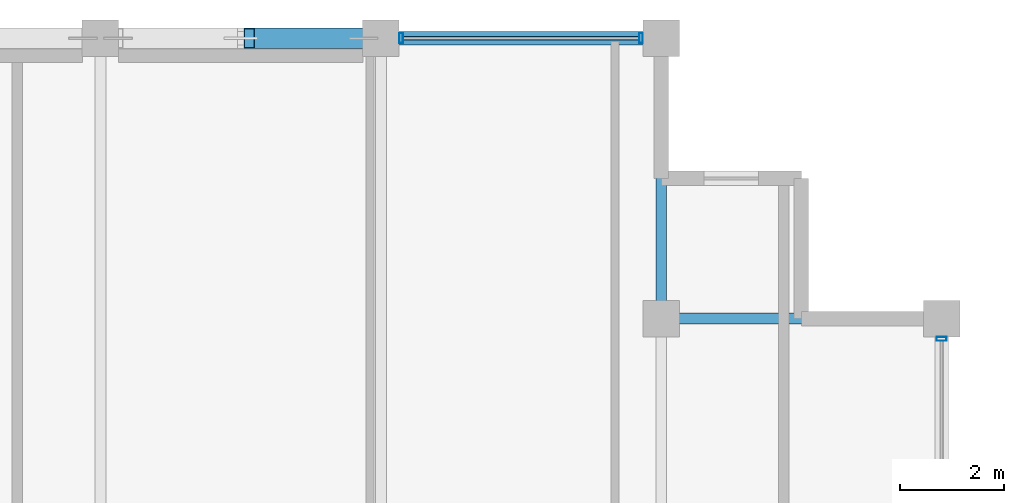
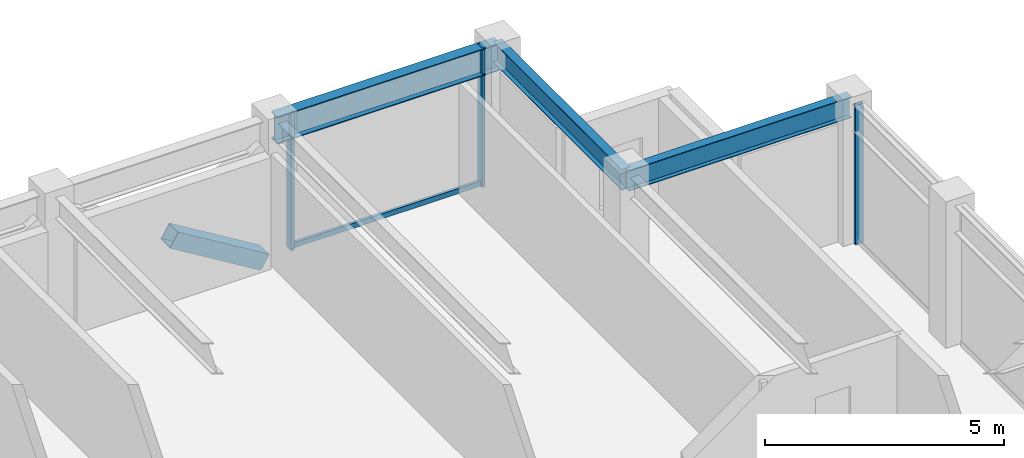
# One storey, part 21 of 30: 5 members, 3 beams, 2 elements without a shape of their own.
"""IFC4 building model written with IfcOpenShell, lengths in metres."""

from ifc_helpers import new_model, si_unit, direction, frame, origin, origin_2d, place, context, subcontext, project, spatial, hollow_rectangle, i_section, extrude, material, layer, layer_set, material_profile, profile_set, type_object, element, aggregate, save


model = new_model("IFC4")

# Units and contexts
model_context = context("Model", 3, precision=1e-05, world=origin(), true_north=direction((0.0, 1.0)))
body_context = subcontext(model_context, "Body", "Model", "MODEL_VIEW")
ifc_project = project(units=[si_unit("LENGTHUNIT", "METRE"), si_unit("AREAUNIT", "SQUARE_METRE"), si_unit("VOLUMEUNIT", "CUBIC_METRE"), si_unit("PLANEANGLEUNIT", "RADIAN"), si_unit("MASSUNIT", "GRAM", prefix="KILO")], contexts=[model_context])

# Site, building, storey
site_placement = place(None, origin())
site = spatial("IfcSite", under=ifc_project, at=site_placement, CompositionType="ELEMENT")
building_placement = place(site_placement, origin())
building = spatial("IfcBuilding", under=site, at=building_placement, Name="Surkhivell Harbour Commons", CompositionType="ELEMENT")
storey_placement = place(building_placement, frame((0.0, 0.0, 281.25)))
storey = spatial("IfcBuildingStorey", under=building, at=storey_placement, Name="L73", CompositionType="ELEMENT", Elevation=281.25)

# Beams
ifc_material_1 = material(Name="Steel S355", Category="steel")
ifc_material_profile_1 = material_profile(ifc_material_1, i_section(OverallWidth=0.2099609375, OverallDepth=0.537109375, WebThickness=0.0107421875, FlangeThickness=0.017333984375, at=origin_2d()), Name="UB533x210x101")
ifc_profile_set_1 = profile_set([ifc_material_profile_1], Name="Steel S355")
beam_type_1 = type_object("IfcBeamType", Name="BM-GRD-533B", PredefinedType="BEAM", material=ifc_profile_set_1)
for number, where, z_axis, x_axis, name in (
    (1, (10.800048828125, 20.5, 3.301513671875), (0.0, 1.0, 0.0), (-1.0, 0.0, 0.0), "L73 Floor Girder (10.8,20.5)"),
    (2, (10.800048828125, 20.5, 3.301513671875), (1.0, 0.0, 0.0), (0.0, 1.0, 0.0), "L73 Floor Girder (10.8,20.5)"),
):
    element("IfcBeam", number, at=place(storey_placement, frame(where, z_axis=z_axis, x_axis=x_axis)), inside=storey, type_object=beam_type_1, Name=name, PredefinedType="BEAM", context=body_context, shape_type="SweptSolid", body=[
        extrude(i_section(OverallWidth=0.2099609375, OverallDepth=0.537109375, WebThickness=0.0107421875, FlangeThickness=0.017333984375, at=origin_2d()), origin(), (0.0, 0.0, 1.0), 5.39990234375),
    ])
ifc_material_profile_2 = material_profile(ifc_material_1, i_section(OverallWidth=0.256103515625, OverallDepth=0.693115234375, WebThickness=0.014404296875, FlangeThickness=0.023681640625, at=origin_2d()), Name="UB686x254x170")
ifc_profile_set_2 = profile_set([ifc_material_profile_2], Name="Steel S355")
beam_type_2 = type_object("IfcBeamType", Name="BM-SPN-686", PredefinedType="SPANDREL", material=ifc_profile_set_2)
beam_placement = place(storey_placement, frame((5.39990234375, 25.89990234375, 3.223388671875), z_axis=(1.0, 0.0, 0.0), x_axis=(0.0, 1.0, 0.0)))
element("IfcBeam", 3, at=beam_placement, inside=storey, type_object=beam_type_2, Name="L73 Tube Spandrel (5.4,25.9)", PredefinedType="SPANDREL", context=body_context, shape_type="SweptSolid", body=[
    extrude(i_section(OverallWidth=0.256103515625, OverallDepth=0.693115234375, WebThickness=0.014404296875, FlangeThickness=0.023681640625, at=origin_2d()), origin(), (0.0, 0.0, 1.0), 5.400146484375),
])

# Curtain wall, member
ifc_material_2 = material(Name="Anodised pale-metal aluminium and insulated glazing", Category="aluminium")
ifc_layer = layer(ifc_material_2, 0.175048828125)
ifc_layer_set = layer_set([ifc_layer], Name="Anodised pale-metal aluminium and insulated glazing")
curtain_wall_type = type_object("IfcCurtainWallType", Name="CW-SYS-Z4", PredefinedType="NOTDEFINED", material=ifc_layer_set)
curtain_wall_1_placement = place(storey_placement, origin())
curtain_wall_1 = element("IfcCurtainWall", 4, at=curtain_wall_1_placement, inside=storey, type_object=curtain_wall_type, Name="L73 Curtain Wall CW-L73-E02", PredefinedType="NOTDEFINED")
ifc_material_3 = material(Name="Anodised pale-metal aluminium alloy 6063-T6", Category="aluminium")
ifc_material_profile_3 = material_profile(ifc_material_3, hollow_rectangle(XDim=0.074951171875, YDim=0.18994140625, WallThickness=0.00390625, at=origin_2d()), Name="ALU-MULL-75x190")
ifc_profile_set_3 = profile_set([ifc_material_profile_3], Name="Anodised pale-metal aluminium alloy 6063-T6")
member_type_1 = type_object("IfcMemberType", Name="CWM-190", PredefinedType="MULLION", material=ifc_profile_set_3)
member_1_placement = place(storey_placement, frame((16.199951171875, 20.110595703125, 0.0), z_axis=(0.0, 0.0, 1.0), x_axis=(0.0, 1.0, 0.0)))
member_1 = element("IfcMember", 5, at=member_1_placement, type_object=member_type_1, Name="CW-Z4 mullion 6", PredefinedType="MULLION", context=body_context, shape_type="SweptSolid", body=[
    extrude(hollow_rectangle(XDim=0.074951171875, YDim=0.18994140625, WallThickness=0.00390625, at=origin_2d()), origin(), (0.0, 0.0, 1.0), 3.570068359375),
])
aggregate(curtain_wall_1, [member_1])

# Curtain wall, members
curtain_wall_2_placement = place(storey_placement, origin())
curtain_wall_2 = element("IfcCurtainWall", 6, at=curtain_wall_2_placement, inside=storey, type_object=curtain_wall_type, Name="L73 Curtain Wall CW-L73-E07S1", PredefinedType="NOTDEFINED")
member_2_placement = place(storey_placement, frame((10.410400390625, 25.89990234375, 0.0), z_axis=(0.0, 0.0, 1.0), x_axis=(-1.0, 0.0, 0.0)))
member_2 = element("IfcMember", 7, at=member_2_placement, type_object=member_type_1, Name="CW-Z4 mullion 1", PredefinedType="MULLION", context=body_context, shape_type="SweptSolid", body=[
    extrude(hollow_rectangle(XDim=0.074951171875, YDim=0.18994140625, WallThickness=0.00390625, at=origin_2d()), origin(), (0.0, 0.0, 1.0), 3.570068359375),
])
member_3_placement = place(storey_placement, frame((5.78955078125, 25.89990234375, 0.0), z_axis=(0.0, 0.0, 1.0), x_axis=(-1.0, 0.0, 0.0)))
member_3 = element("IfcMember", 8, at=member_3_placement, type_object=member_type_1, Name="CW-Z4 mullion 2", PredefinedType="MULLION", context=body_context, shape_type="SweptSolid", body=[
    extrude(hollow_rectangle(XDim=0.074951171875, YDim=0.18994140625, WallThickness=0.00390625, at=origin_2d()), origin(), (0.0, 0.0, 1.0), 3.570068359375),
])
ifc_material_4 = material(Name="Champagne anodised aluminium alloy 6063-T6", Category="aluminium")
ifc_material_profile_4 = material_profile(ifc_material_4, hollow_rectangle(XDim=0.070068359375, YDim=0.1298828125, WallThickness=0.00341796875, at=origin_2d()), Name="ALU-TRAN-70x130")
ifc_profile_set_4 = profile_set([ifc_material_profile_4], Name="Champagne anodised aluminium alloy 6063-T6")
member_type_2 = type_object("IfcMemberType", Name="CWT-130", PredefinedType="USERDEFINED", material=ifc_profile_set_4)
member_4_placement = place(storey_placement, frame((10.373046875, 25.89990234375, 0.06494140625), z_axis=(-1.0, 0.0, 0.0), x_axis=(0.0, -1.0, 0.0)))
member_4 = element("IfcMember", 9, at=member_4_placement, type_object=member_type_2, Name="CW-Z4 transom 1.1", ObjectType="TRANSOM", PredefinedType="USERDEFINED", context=body_context, shape_type="SweptSolid", body=[
    extrude(hollow_rectangle(XDim=0.070068359375, YDim=0.1298828125, WallThickness=0.00341796875, at=origin_2d()), origin(), (0.0, 0.0, 1.0), 4.546142578125),
])
aggregate(curtain_wall_2, [member_2, member_3, member_4])

# Member
ifc_material_5 = material(Name="Steel S460", Category="steel")
ifc_material_profile_5 = material_profile(ifc_material_5, hollow_rectangle(XDim=0.39990234375, YDim=0.39990234375, WallThickness=0.02001953125, at=origin_2d()), Name="SHS400x400x20")
ifc_profile_set_5 = profile_set([ifc_material_profile_5], Name="Steel S460")
member_type_3 = type_object("IfcMemberType", Name="MEM-BRC-SHS400", PredefinedType="BRACE", material=ifc_profile_set_5)
member_5_placement = place(storey_placement, frame((5.06494140625, 25.89990234375, 0.008056640625), z_axis=(-0.854719912157, 0.0, 0.519089464122), x_axis=(0.0, -1.0, 0.0)))
element("IfcMember", 10, at=member_5_placement, inside=storey, type_object=member_type_3, Name="L73 Perimeter Mega-Brace MB- 05", PredefinedType="BRACE", context=body_context, shape_type="SweptSolid", body=[
    extrude(hollow_rectangle(XDim=0.39990234375, YDim=0.39990234375, WallThickness=0.02001953125, at=origin_2d()), origin(), (0.0, 0.0, 1.0), 2.574951171875),
])

save(model, "model.ifc")
